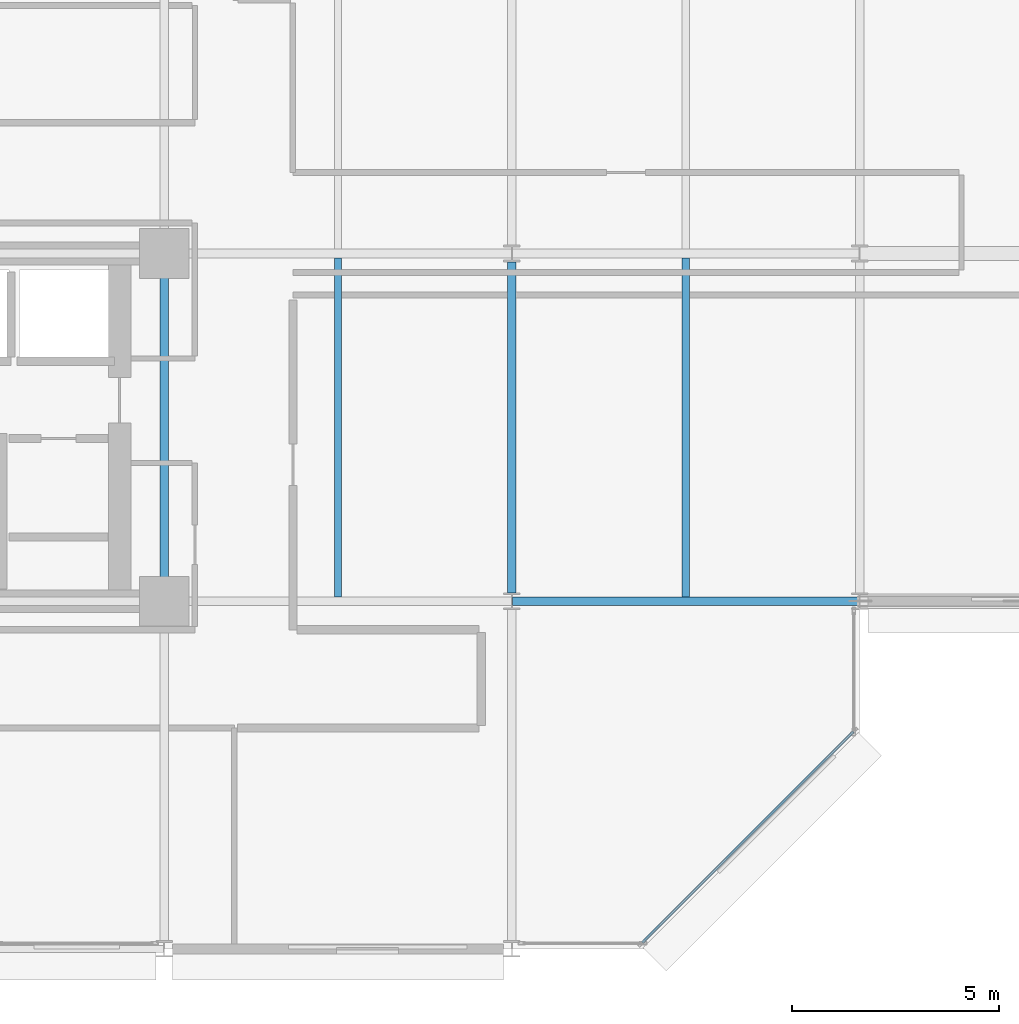
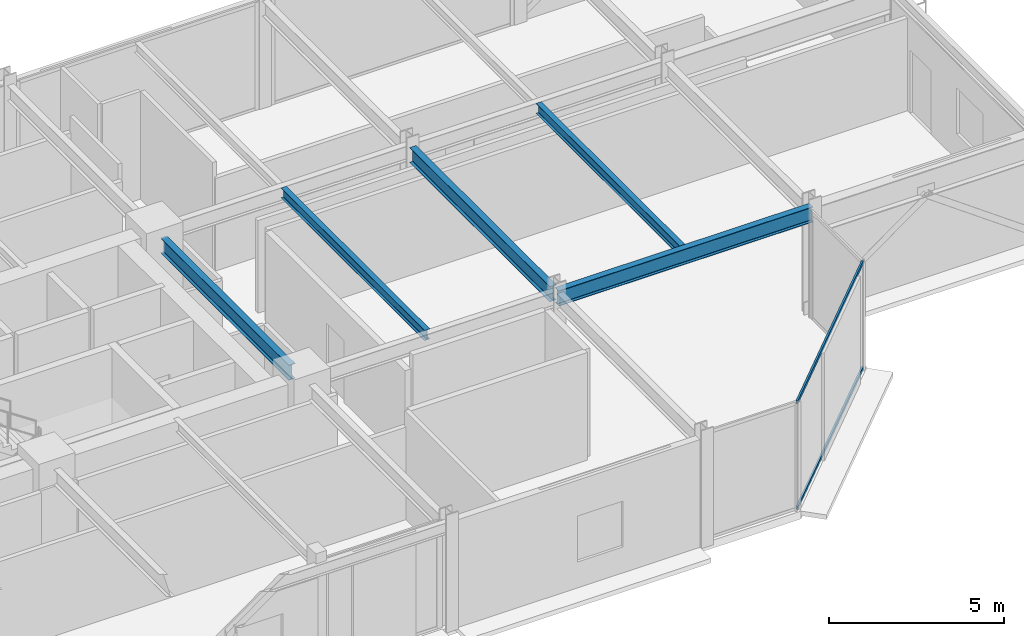
# One storey, part 17 of 40: 5 beams, 2 members, 1 element without a shape of its own.
"""IFC4 building model written with IfcOpenShell, lengths in metres."""

from ifc_helpers import new_model, si_unit, direction, frame, origin, origin_2d, place, context, subcontext, project, spatial, hollow_rectangle, i_section, extrude, material, layer, layer_set, material_profile, profile_set, type_object, element, aggregate, save


model = new_model("IFC4")

# Units and contexts
model_context = context("Model", 3, precision=1e-05, world=origin(), true_north=direction((0.0, 1.0)))
body_context = subcontext(model_context, "Body", "Model", "MODEL_VIEW")
ifc_project = project(units=[si_unit("LENGTHUNIT", "METRE"), si_unit("AREAUNIT", "SQUARE_METRE"), si_unit("VOLUMEUNIT", "CUBIC_METRE"), si_unit("PLANEANGLEUNIT", "RADIAN"), si_unit("MASSUNIT", "GRAM", prefix="KILO")], contexts=[model_context])

# Site, building, storey
site_placement = place(None, origin())
site = spatial("IfcSite", under=ifc_project, at=site_placement, CompositionType="ELEMENT")
building_placement = place(site_placement, origin())
building = spatial("IfcBuilding", under=site, at=building_placement, Name="Nerrivon Quay Data Exchange", CompositionType="ELEMENT")
storey_placement = place(building_placement, frame((0.0, 0.0, 109.0)))
storey = spatial("IfcBuildingStorey", under=building, at=storey_placement, Name="L25", CompositionType="ELEMENT", Elevation=109.0)

# Beams
ifc_material_1 = material(Name="Steel Grade 350", Category="steel")
ifc_material_profile_1 = material_profile(ifc_material_1, i_section(OverallWidth=0.208984375, OverallDepth=0.532958984375, WebThickness=0.01025390625, FlangeThickness=0.015625, FilletRadius=0.013916015625, at=origin_2d()), Name="530UB92.4")
ifc_profile_set_1 = profile_set([ifc_material_profile_1], Name="Steel Grade 350")
beam_type_1 = type_object("IfcBeamType", Name="BM-G3-530UB92", PredefinedType="BEAM", material=ifc_profile_set_1)
beam_1_placement = place(storey_placement, frame((42.012451171875, 8.39990234375, 3.4833984375), z_axis=(1.0, 0.0, 0.0), x_axis=(0.0, 1.0, 0.0)))
element("IfcBeam", 1, at=beam_1_placement, inside=storey, type_object=beam_type_1, Name="L25 EW Girder Y=8.4 (42.0..50.4)", PredefinedType="BEAM", context=body_context, shape_type="SweptSolid", body=[
    extrude(i_section(OverallWidth=0.208984375, OverallDepth=0.532958984375, WebThickness=0.01025390625, FlangeThickness=0.015625, FilletRadius=0.013916015625, at=origin_2d()), origin(), (0.0, 0.0, 1.0), 8.375),
])
ifc_material_profile_2 = material_profile(ifc_material_1, i_section(OverallWidth=0.208984375, OverallDepth=0.528076171875, WebThickness=0.009521484375, FlangeThickness=0.01318359375, FilletRadius=0.013916015625, at=origin_2d()), Name="530UB82.0")
ifc_profile_set_2 = profile_set([ifc_material_profile_2], Name="Steel Grade 350")
beam_type_2 = type_object("IfcBeamType", Name="BM-G4-530UB82", PredefinedType="BEAM", material=ifc_profile_set_2)
beam_2_placement = place(storey_placement, frame((33.60009765625, 8.93994140625, 3.486083984375), z_axis=(0.0, 1.0, 0.0), x_axis=(-1.0, 0.0, 0.0)))
element("IfcBeam", 2, at=beam_2_placement, inside=storey, type_object=beam_type_2, Name="L25 NS Girder X=33.6 (8.4..16.8)", PredefinedType="BEAM", context=body_context, shape_type="SweptSolid", body=[
    extrude(i_section(OverallWidth=0.208984375, OverallDepth=0.528076171875, WebThickness=0.009521484375, FlangeThickness=0.01318359375, FilletRadius=0.013916015625, at=origin_2d()), origin(), (0.0, 0.0, 1.0), 7.320068359375),
])
beam_3_placement = place(storey_placement, frame((42.0, 8.60009765625, 3.486083984375), z_axis=(0.0, 1.0, 0.0), x_axis=(-1.0, 0.0, 0.0)))
element("IfcBeam", 3, at=beam_3_placement, inside=storey, type_object=beam_type_2, Name="L25 NS Girder X=42.0 (8.4..16.8)", PredefinedType="BEAM", context=body_context, shape_type="SweptSolid", body=[
    extrude(i_section(OverallWidth=0.208984375, OverallDepth=0.528076171875, WebThickness=0.009521484375, FlangeThickness=0.01318359375, FilletRadius=0.013916015625, at=origin_2d()), origin(), (0.0, 0.0, 1.0), 8.0),
])
ifc_material_profile_3 = material_profile(ifc_material_1, i_section(OverallWidth=0.1708984375, OverallDepth=0.35595703125, WebThickness=0.00732421875, FlangeThickness=0.011474609375, FilletRadius=0.011474609375, at=origin_2d()), Name="360UB50.7")
ifc_profile_set_3 = profile_set([ifc_material_profile_3], Name="Steel Grade 350")
beam_type_3 = type_object("IfcBeamType", Name="BM-J4-360UB51", PredefinedType="JOIST", material=ifc_profile_set_3)
for number, where, z_axis, x_axis, name in (
    (4, (37.800048828125, 8.50439453125, 3.572021484375), (0.0, 1.0, 0.0), (-1.0, 0.0, 0.0), "L25 Secondary Joist X=37.8 (8.4..16.8)"),
    (5, (46.199951171875, 8.50439453125, 3.572021484375), (0.0, 1.0, 0.0), (-1.0, 0.0, 0.0), "L25 Secondary Joist X=46.2 (8.4..16.8)"),
):
    element("IfcBeam", number, at=place(storey_placement, frame(where, z_axis=z_axis, x_axis=x_axis)), inside=storey, type_object=beam_type_3, Name=name, PredefinedType="JOIST", context=body_context, shape_type="SweptSolid", body=[
        extrude(i_section(OverallWidth=0.1708984375, OverallDepth=0.35595703125, WebThickness=0.00732421875, FlangeThickness=0.011474609375, FilletRadius=0.011474609375, at=origin_2d()), origin(), (0.0, 0.0, 1.0), 8.191162109375),
    ])

# Curtain wall, members
ifc_material_2 = material(Name="Anodised aluminium 6063-T6", Category="aluminium")
ifc_layer = layer(ifc_material_2, 0.2099609375)
ifc_layer_set = layer_set([ifc_layer], Name="Anodised aluminium 6063-T6")
curtain_wall_type = type_object("IfcCurtainWallType", Name="CW-SYS-02", PredefinedType="NOTDEFINED", material=ifc_layer_set)
curtain_wall_placement = place(storey_placement, origin())
curtain_wall = element("IfcCurtainWall", 6, at=curtain_wall_placement, inside=storey, type_object=curtain_wall_type, Name="L25 Unitised Curtain Wall 5", PredefinedType="NOTDEFINED")
ifc_material_profile_4 = material_profile(ifc_material_2, hollow_rectangle(XDim=0.06005859375, YDim=0.1201171875, WallThickness=0.003173828125, at=origin_2d()), Name="ALU-TRAN-120x60")
ifc_profile_set_4 = profile_set([ifc_material_profile_4], Name="Anodised aluminium 6063-T6")
member_type = type_object("IfcMemberType", Name="CWT-120x60", PredefinedType="USERDEFINED", material=ifc_profile_set_4)
member_1_placement = place(storey_placement, frame((50.248046875, 5.245849609375, 0.032470703125), z_axis=(-0.707123726196, -0.707089835771, 0.0), x_axis=(0.707089835771, -0.707123726196, 0.0)))
member_1 = element("IfcMember", 7, at=member_1_placement, type_object=member_type, Name="CW02 transom 1.1", ObjectType="TRANSOM", PredefinedType="USERDEFINED", context=body_context, shape_type="SweptSolid", body=[
    extrude(hollow_rectangle(XDim=0.06005859375, YDim=0.1201171875, WallThickness=0.003173828125, at=origin_2d()), origin(), (0.0, 0.0, 1.0), 7.203857421875),
])
member_2_placement = place(storey_placement, frame((50.248046875, 5.245849609375, 3.717529296875), z_axis=(-0.707123726196, -0.707089835771, 0.0), x_axis=(0.707089835771, -0.707123726196, 0.0)))
member_2 = element("IfcMember", 8, at=member_2_placement, type_object=member_type, Name="CW02 transom 1.2", ObjectType="TRANSOM", PredefinedType="USERDEFINED", context=body_context, shape_type="SweptSolid", body=[
    extrude(hollow_rectangle(XDim=0.06005859375, YDim=0.1201171875, WallThickness=0.003173828125, at=origin_2d()), origin(), (0.0, 0.0, 1.0), 7.203857421875),
])
aggregate(curtain_wall, [member_1, member_2])

save(model, "model.ifc")
